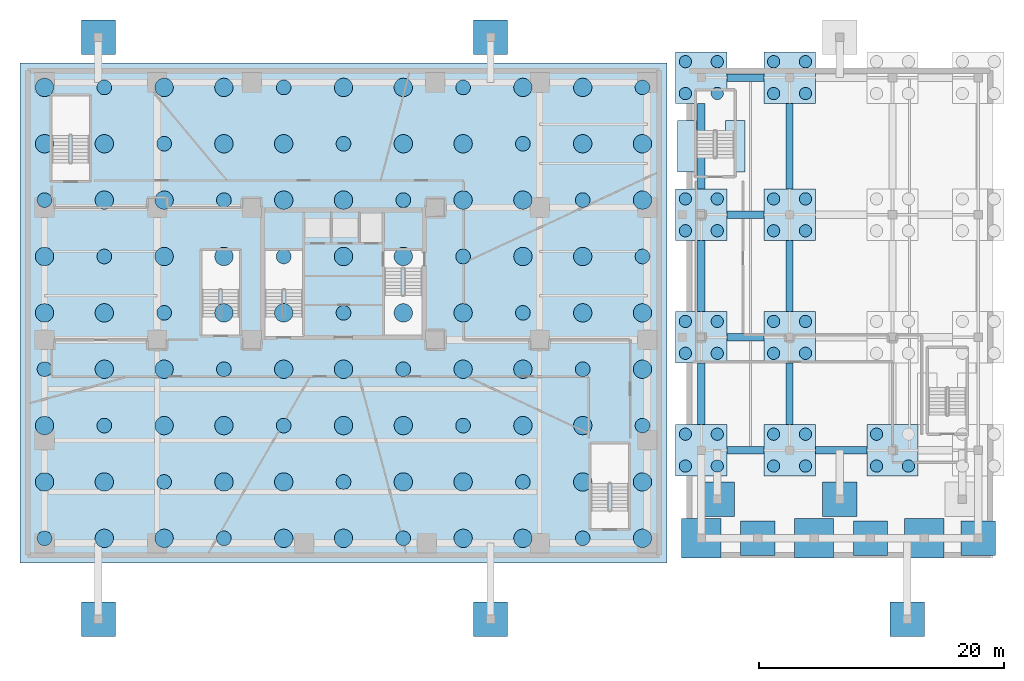
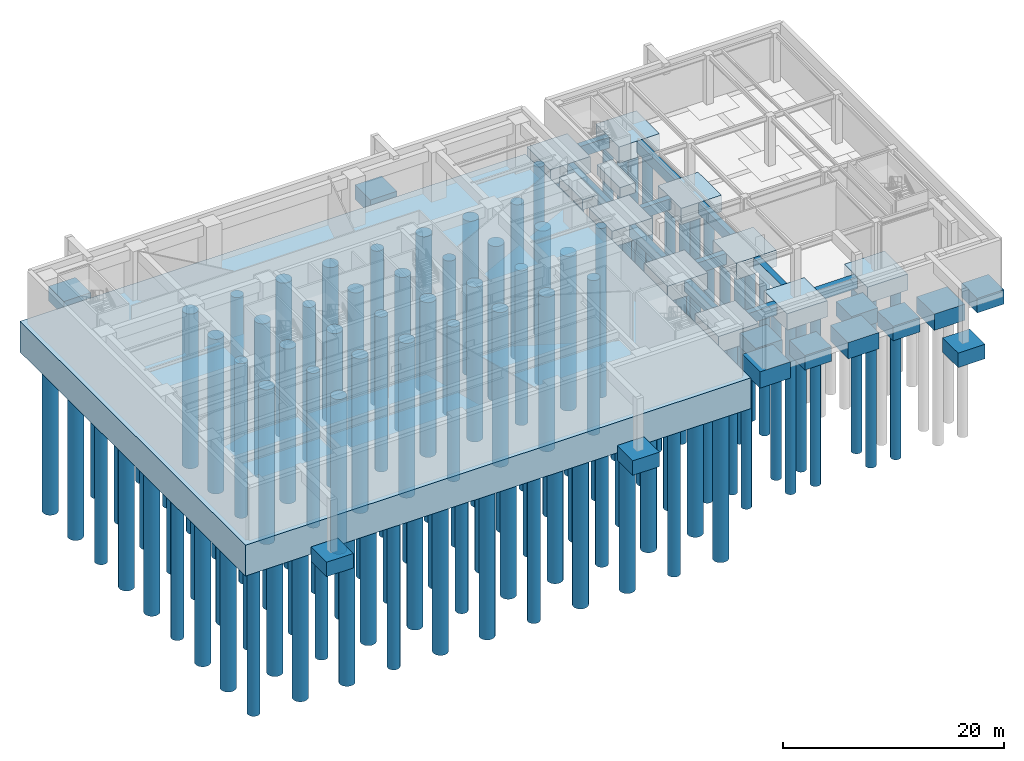
# One storey, part 1 of 15: 134 piles, 36 footings.
"""IFC4 building model written with IfcOpenShell, lengths in metres."""

import ifcopenshell
import ifcopenshell.guid

model = None  # the IFC model being written
_history = None  # IfcOwnerHistory: only IFC2X3 demands one
_inside = {}  # id of a spatial element -> (the spatial element, [elements in it])
_under = {}  # id of a project, library or spatial element -> (it, [spatial elements below it])
_declared = {}  # id of a project -> (the project, [libraries it declares])
_typed = {}  # id of a type object -> (the type object, [elements of that type])
_made_of = {}  # id of a material, layer set ... -> (it, [elements and type objects made of it])


def new_model(schema):
    """Start an empty IFC model of exactly this schema.

    Asked for "IFC4X3", IfcOpenShell would pick the latest addendum, in which some entities
    have other attributes; the version numbers below select the first issue.
    IFC2X3 requires an IfcOwnerHistory on every rooted entity: one is made here for all.
    """
    global model, _history
    if schema == "IFC4X3":
        model = ifcopenshell.file(schema_version=(4, 3, 0, 0))
    else:
        model = ifcopenshell.file(schema=schema)
    _inside.clear()
    _under.clear()
    _declared.clear()
    _typed.clear()
    _made_of.clear()
    _history = None
    if model.schema == "IFC2X3":
        org = make("IfcOrganization", Name="unknown")
        user = make(
            "IfcPersonAndOrganization",
            ThePerson=make("IfcPerson", FamilyName="unknown"),
            TheOrganization=org,
        )
        app = make(
            "IfcApplication",
            ApplicationDeveloper=org,
            Version="unknown",
            ApplicationFullName="unknown",
            ApplicationIdentifier="unknown",
        )
        _history = make(
            "IfcOwnerHistory",
            OwningUser=user,
            OwningApplication=app,
            ChangeAction="ADDED",
            CreationDate=0,
        )
    return model


def make(cls, **values):
    """One entity of the class cls with the attributes given. An attribute that is None is left unset."""
    return model.create_entity(
        cls, **{name: value for name, value in values.items() if value is not None}
    )


def rooted(cls, **values):
    """An entity with a GlobalId (a new one), such as an element, a storey or a relation."""
    return make(cls, GlobalId=ifcopenshell.guid.new(), OwnerHistory=_history, **values)


def si_unit(unit_type, name, prefix=None):
    """IfcSIUnit, for example si_unit("LENGTHUNIT", "METRE", prefix="MILLI")."""
    return make("IfcSIUnit", UnitType=unit_type, Prefix=prefix, Name=name)


def assignment(units):
    """IfcUnitAssignment: the units of a project."""
    return None if units is None else make("IfcUnitAssignment", Units=units)


def point(xyz):
    """IfcCartesianPoint."""
    return None if xyz is None else make("IfcCartesianPoint", Coordinates=xyz)


def direction(xyz):
    """IfcDirection."""
    return None if xyz is None else make("IfcDirection", DirectionRatios=xyz)


def frame(location, z_axis=None, x_axis=None):
    """IfcAxis2Placement3D, a coordinate frame: its origin and axes. An axis left out is left unset."""
    return make(
        "IfcAxis2Placement3D",
        Location=point(location),
        Axis=direction(z_axis),
        RefDirection=direction(x_axis),
    )


def frame_2d(location, x_axis=None):
    """IfcAxis2Placement2D, a coordinate frame in the plane: its origin and x axis."""
    return make(
        "IfcAxis2Placement2D", Location=point(location), RefDirection=direction(x_axis)
    )


def origin():
    """The frame at (0, 0, 0) with its axes left unset."""
    return frame((0.0, 0.0, 0.0))


def origin_2d():
    """The frame at (0, 0) in the plane with its x axis left unset."""
    return frame_2d((0.0, 0.0))


def place(relative_to, where):
    """IfcLocalPlacement: puts the frame where relative to a parent placement (None: the world)."""
    return make(
        "IfcLocalPlacement", PlacementRelTo=relative_to, RelativePlacement=where
    )


def context(
    kind, dimensions, precision=None, world=None, true_north=None, identifier=None
):
    """IfcGeometricRepresentationContext, for example the 3D "Model" context."""
    return make(
        "IfcGeometricRepresentationContext",
        ContextIdentifier=identifier,
        ContextType=kind,
        CoordinateSpaceDimension=dimensions,
        Precision=precision,
        WorldCoordinateSystem=world,
        TrueNorth=true_north,
    )


def subcontext(parent, identifier, kind, view, scale=None):
    """IfcGeometricRepresentationSubContext, for example "Body" below "Model"."""
    return make(
        "IfcGeometricRepresentationSubContext",
        ContextIdentifier=identifier,
        ContextType=kind,
        ParentContext=parent,
        TargetScale=scale,
        TargetView=view,
    )


def project(units=None, contexts=None):
    """IfcProject with its units and contexts."""
    return rooted(
        "IfcProject",
        Name="project",
        RepresentationContexts=contexts,
        UnitsInContext=assignment(units),
    )


def spatial(cls, under=None, at=None, **own):
    """A site, building, storey or space (cls), placed at a placement, below another one or the project."""
    s = rooted(cls, ObjectPlacement=at, **own)
    if under is not None:
        _under.setdefault(under.id(), (under, []))[1].append(s)
    return s


def profile(cls, at=None, kind="AREA", **sizes):
    """A parametric profile (cls). Its sizes go by their IFC names, for example OverallWidth=200.0."""
    return make(cls, ProfileType=kind, Position=at, **sizes)


def rectangle(**sizes):
    """IfcRectangleProfileDef."""
    return profile("IfcRectangleProfileDef", **sizes)


def circle(**sizes):
    """IfcCircleProfileDef."""
    return profile("IfcCircleProfileDef", **sizes)


def extrude(swept, where, along, depth):
    """IfcExtrudedAreaSolid: the profile swept, set in the frame where, extruded along a direction by depth."""
    return make(
        "IfcExtrudedAreaSolid",
        SweptArea=swept,
        Position=where,
        ExtrudedDirection=direction(along),
        Depth=depth,
    )


def shape(context_of_items, identifier, shape_type, items):
    """IfcShapeRepresentation: the items that make up one representation, for example the "Body"."""
    return make(
        "IfcShapeRepresentation",
        ContextOfItems=context_of_items,
        RepresentationIdentifier=identifier,
        RepresentationType=shape_type,
        Items=items,
    )


def source(mapping_origin, context_of_items, identifier, shape_type, items):
    """IfcRepresentationMap: a shape defined once, which mapped items show again and again."""
    return make(
        "IfcRepresentationMap",
        MappingOrigin=mapping_origin,
        MappedRepresentation=shape(context_of_items, identifier, shape_type, items),
    )


def transform(
    local_origin,
    x_axis=None,
    y_axis=None,
    z_axis=None,
    scale=None,
    scale2=None,
    scale3=None,
    uniform=True,
):
    """IfcCartesianTransformationOperator3D, or its non-uniform kind. x_axis, y_axis, z_axis: its Axis1, 2, 3."""
    if uniform:
        return make(
            "IfcCartesianTransformationOperator3D",
            Axis1=direction(x_axis),
            Axis2=direction(y_axis),
            LocalOrigin=point(local_origin),
            Scale=scale,
            Axis3=direction(z_axis),
        )
    return make(
        "IfcCartesianTransformationOperator3DnonUniform",
        Axis1=direction(x_axis),
        Axis2=direction(y_axis),
        LocalOrigin=point(local_origin),
        Scale=scale,
        Axis3=direction(z_axis),
        Scale2=scale2,
        Scale3=scale3,
    )


def mapped(mapping_source, mapping_target):
    """IfcMappedItem: shows the shape of a source again, moved by a transform."""
    return make(
        "IfcMappedItem", MappingSource=mapping_source, MappingTarget=mapping_target
    )


def material(Name=None, Category=None):
    """IfcMaterial."""
    return make("IfcMaterial", Name=Name, Category=Category)


def material_profile(
    of_material, cross_section, Name=None, Category=None, Priority=None
):
    """IfcMaterialProfile: a cross section and its material."""
    return make(
        "IfcMaterialProfile",
        Name=Name,
        Material=of_material,
        Profile=cross_section,
        Priority=Priority,
        Category=Category,
    )


def profile_set(profiles, Name=None, composite=None):
    """IfcMaterialProfileSet."""
    return make(
        "IfcMaterialProfileSet",
        Name=Name,
        MaterialProfiles=profiles,
        CompositeProfile=composite,
    )


def made_of(thing, what):
    """Note that an element or type object is made of a material, layer set ...; save() writes the relation."""
    if what is not None:
        _made_of.setdefault(what.id(), (what, []))[1].append(thing)
    return thing


def type_object(cls, material=None, **own):
    """A type object (cls), such as IfcWallType, which elements share."""
    return made_of(rooted(cls, **own), material)


def type_shapes(of_type, sources):
    """Give a type object the sources (RepresentationMaps) that its elements show as mapped items."""
    of_type.RepresentationMaps = sources


def element(
    cls,
    number,
    at=None,
    inside=None,
    cuts=None,
    type_object=None,
    material=None,
    context=None,
    identifier="Body",
    shape_type=None,
    held_by="IfcProductDefinitionShape",
    body=None,
    shapes=None,
    **own,
):
    """One element of the class cls, such as IfcWall. Its Tag is "e" and its number.

    at: its placement. inside: the storey or other place that contains it. cuts: it is an
    opening in that element (IfcRelVoidsElement). A single representation is given by context,
    identifier, shape_type and body (its items); several are given by shapes. held_by: the class
    of the entity that holds the representations. save() writes the other relations.
    """
    e = rooted(cls, Tag="e%d" % number, ObjectPlacement=at, **own)
    if body is not None:
        shapes = [shape(context, identifier, shape_type, body)]
    if shapes is not None:
        e.Representation = make(held_by, Representations=shapes)
    if inside is not None:
        _inside.setdefault(inside.id(), (inside, []))[1].append(e)
    if cuts is not None:
        rooted(
            "IfcRelVoidsElement", RelatingBuildingElement=cuts, RelatedOpeningElement=e
        )
    if type_object is not None:
        _typed.setdefault(type_object.id(), (type_object, []))[1].append(e)
    return made_of(e, material)


def aggregate(whole, parts):
    """IfcRelAggregates: a whole, such as a stair, and the parts it consists of."""
    return rooted("IfcRelAggregates", RelatingObject=whole, RelatedObjects=parts)


def save(model, path):
    """Write the relations noted so far, then the file.

    IfcRelAggregates (storeys below a building ...), IfcRelContainedInSpatialStructure (elements
    in a storey), IfcRelDefinesByType, IfcRelAssociatesMaterial and IfcRelDeclares: one each for
    every whole, place, type object, material and project.
    """
    for whole, parts in _under.values():
        aggregate(whole, parts)
    for where, things in _inside.values():
        rooted(
            "IfcRelContainedInSpatialStructure",
            RelatedElements=things,
            RelatingStructure=where,
        )
    for kind, things in _typed.values():
        rooted("IfcRelDefinesByType", RelatedObjects=things, RelatingType=kind)
    for what, things in _made_of.values():
        rooted("IfcRelAssociatesMaterial", RelatedObjects=things, RelatingMaterial=what)
    for by, libraries in _declared.values():
        rooted("IfcRelDeclares", RelatingContext=by, RelatedDefinitions=libraries)
    model.write(path)


model = new_model("IFC4")

# Units and contexts
model_context = context("Model", 3, precision=1e-05, world=origin(), true_north=direction((0.0, 1.0)))
body_context = subcontext(model_context, "Body", "Model", "MODEL_VIEW")
ifc_project = project(units=[si_unit("LENGTHUNIT", "METRE"), si_unit("AREAUNIT", "SQUARE_METRE"), si_unit("VOLUMEUNIT", "CUBIC_METRE"), si_unit("PLANEANGLEUNIT", "RADIAN"), si_unit("MASSUNIT", "GRAM", prefix="KILO")], contexts=[model_context])

# Site, building, storey
site_placement = place(None, origin())
site = spatial("IfcSite", under=ifc_project, at=site_placement, CompositionType="ELEMENT")
building_placement = place(site_placement, origin())
building = spatial("IfcBuilding", under=site, at=building_placement, Name="Talar Marvaseh", CompositionType="ELEMENT")
storey_placement = place(building_placement, frame((0.0, 0.0, -11.60009765625)))
storey = spatial("IfcBuildingStorey", under=building, at=storey_placement, Name="B02", CompositionType="ELEMENT", Elevation=-11.60009765625)

# Footing
ifc_material = material(Name="Concrete C50/60", Category="concrete")
footing_type_1 = type_object("IfcFootingType", Name="Piled Foundation Raft 3400", PredefinedType="PAD_FOOTING", material=ifc_material)
shared_shape_1 = source(origin(), body_context, "Body", "SweptSolid", [
    extrude(rectangle(XDim=52.800048828125, YDim=40.800048828125, at=origin_2d()), origin(), (0.0, 0.0, 1.0), 3.39990234375),
])
type_shapes(footing_type_1, [shared_shape_1])
footing_1_placement = place(storey_placement, frame((26.0, 28.0, -3.39990234375), z_axis=(0.0, 0.0, 1.0), x_axis=(1.0, 0.0, 0.0)))
element("IfcFooting", 1, at=footing_1_placement, inside=storey, type_object=footing_type_1, Name="B02 Tower and Station Piled Foundation Raft", PredefinedType="PAD_FOOTING", context=body_context, shape_type="MappedRepresentation", body=[
    mapped(shared_shape_1, transform((0.0, 0.0, 0.0), x_axis=(1.0, 0.0, 0.0), y_axis=(0.0, 1.0, 0.0), z_axis=(0.0, 0.0, 1.0), scale=1.0)),
])

# Piles
ifc_material_profile_1 = material_profile(ifc_material, circle(Radius=0.60009765625, at=origin_2d()), Name="PILE-D1200")
ifc_profile_set_1 = profile_set([ifc_material_profile_1], Name="Concrete C50/60")
pile_type_1 = type_object("IfcPileType", Name="Rotary Bored Rock-Socketed Pile D1200", PredefinedType="BORED", material=ifc_profile_set_1)
shared_shape_2 = source(origin(), body_context, "Body", "SweptSolid", [
    extrude(circle(Radius=0.60009765625, at=origin_2d()), origin(), (0.0, 0.0, 1.0), 17.10009765625),
])
type_shapes(pile_type_1, [shared_shape_2])
for number, where, z_axis, x_axis, name in (
    (2, (1.60009765625, 9.60009765625, -3.2998046875), (0.0, 0.0, -1.0), (1.0, 0.0, 0.0), "B02 Tower Raft Bored Pile 1-1"),
    (3, (1.60009765625, 23.39990234375, -3.2998046875), (0.0, 0.0, -1.0), (1.0, 0.0, 0.0), "B02 Tower Raft Bored Pile 1-4"),
    (4, (1.60009765625, 37.199951171875, -3.2998046875), (0.0, 0.0, -1.0), (1.0, 0.0, 0.0), "B02 Tower Raft Bored Pile 1-7"),
    (5, (6.47998046875, 18.800048828125, -3.2998046875), (0.0, 0.0, -1.0), (1.0, 0.0, 0.0), "B02 Tower Raft Bored Pile 2-3"),
    (6, (6.47998046875, 32.60009765625, -3.2998046875), (0.0, 0.0, -1.0), (1.0, 0.0, 0.0), "B02 Tower Raft Bored Pile 2-6"),
    (7, (6.47998046875, 46.39990234375, -3.2998046875), (0.0, 0.0, -1.0), (1.0, 0.0, 0.0), "B02 Tower Raft Bored Pile 2-9"),
    (8, (11.360107421875, 14.199951171875, -3.2998046875), (0.0, 0.0, -1.0), (1.0, 0.0, 0.0), "B02 Tower Raft Bored Pile 3-2"),
    (9, (11.360107421875, 28.0, -3.2998046875), (0.0, 0.0, -1.0), (1.0, 0.0, 0.0), "B02 Tower Raft Bored Pile 3-5"),
    (10, (11.360107421875, 41.800048828125, -3.2998046875), (0.0, 0.0, -1.0), (1.0, 0.0, 0.0), "B02 Tower Raft Bored Pile 3-8"),
    (11, (16.239990234375, 9.60009765625, -3.2998046875), (0.0, 0.0, -1.0), (1.0, 0.0, 0.0), "B02 Tower Raft Bored Pile 4-1"),
    (12, (16.239990234375, 23.39990234375, -3.2998046875), (0.0, 0.0, -1.0), (1.0, 0.0, 0.0), "B02 Tower Raft Bored Pile 4-4"),
    (13, (16.239990234375, 37.199951171875, -3.2998046875), (0.0, 0.0, -1.0), (1.0, 0.0, 0.0), "B02 Tower Raft Bored Pile 4-7"),
    (14, (21.1201171875, 18.800048828125, -3.2998046875), (0.0, 0.0, -1.0), (1.0, 0.0, 0.0), "B02 Tower Raft Bored Pile 5-3"),
    (15, (21.1201171875, 32.60009765625, -3.2998046875), (0.0, 0.0, -1.0), (1.0, 0.0, 0.0), "B02 Tower Raft Bored Pile 5-6"),
    (16, (21.1201171875, 46.39990234375, -3.2998046875), (0.0, 0.0, -1.0), (1.0, 0.0, 0.0), "B02 Tower Raft Bored Pile 5-9"),
    (17, (26.0, 14.199951171875, -3.2998046875), (0.0, 0.0, -1.0), (1.0, 0.0, 0.0), "B02 Tower Raft Bored Pile 6-2"),
    (18, (26.0, 28.0, -3.2998046875), (0.0, 0.0, -1.0), (1.0, 0.0, 0.0), "B02 Tower Raft Bored Pile 6-5"),
    (19, (26.0, 41.800048828125, -3.2998046875), (0.0, 0.0, -1.0), (1.0, 0.0, 0.0), "B02 Tower Raft Bored Pile 6-8"),
    (20, (30.8798828125, 9.60009765625, -3.2998046875), (0.0, 0.0, -1.0), (1.0, 0.0, 0.0), "B02 Tower Raft Bored Pile 7-1"),
    (21, (30.8798828125, 23.39990234375, -3.2998046875), (0.0, 0.0, -1.0), (1.0, 0.0, 0.0), "B02 Tower Raft Bored Pile 7-4"),
    (22, (30.8798828125, 37.199951171875, -3.2998046875), (0.0, 0.0, -1.0), (1.0, 0.0, 0.0), "B02 Tower Raft Bored Pile 7-7"),
    (23, (35.760009765625, 18.800048828125, -3.2998046875), (0.0, 0.0, -1.0), (1.0, 0.0, 0.0), "B02 Tower Raft Bored Pile 8-3"),
    (24, (35.760009765625, 32.60009765625, -3.2998046875), (0.0, 0.0, -1.0), (1.0, 0.0, 0.0), "B02 Tower Raft Bored Pile 8-6"),
    (25, (35.760009765625, 46.39990234375, -3.2998046875), (0.0, 0.0, -1.0), (1.0, 0.0, 0.0), "B02 Tower Raft Bored Pile 8-9"),
    (26, (40.639892578125, 14.199951171875, -3.2998046875), (0.0, 0.0, -1.0), (1.0, 0.0, 0.0), "B02 Tower Raft Bored Pile 9-2"),
    (27, (40.639892578125, 28.0, -3.2998046875), (0.0, 0.0, -1.0), (1.0, 0.0, 0.0), "B02 Tower Raft Bored Pile 9-5"),
    (28, (40.639892578125, 41.800048828125, -3.2998046875), (0.0, 0.0, -1.0), (1.0, 0.0, 0.0), "B02 Tower Raft Bored Pile 9-8"),
    (29, (45.52001953125, 9.60009765625, -3.2998046875), (0.0, 0.0, -1.0), (1.0, 0.0, 0.0), "B02 Tower Raft Bored Pile 10-1"),
    (30, (45.52001953125, 23.39990234375, -3.2998046875), (0.0, 0.0, -1.0), (1.0, 0.0, 0.0), "B02 Tower Raft Bored Pile 10-4"),
    (31, (45.52001953125, 37.199951171875, -3.2998046875), (0.0, 0.0, -1.0), (1.0, 0.0, 0.0), "B02 Tower Raft Bored Pile 10-7"),
    (32, (50.39990234375, 18.800048828125, -3.2998046875), (0.0, 0.0, -1.0), (1.0, 0.0, 0.0), "B02 Tower Raft Bored Pile 11-3"),
    (33, (50.39990234375, 32.60009765625, -3.2998046875), (0.0, 0.0, -1.0), (1.0, 0.0, 0.0), "B02 Tower Raft Bored Pile 11-6"),
    (34, (50.39990234375, 46.39990234375, -3.2998046875), (0.0, 0.0, -1.0), (1.0, 0.0, 0.0), "B02 Tower Raft Bored Pile 11-9"),
):
    element("IfcPile", number, at=place(storey_placement, frame(where, z_axis=z_axis, x_axis=x_axis)), inside=storey, type_object=pile_type_1, Name=name, PredefinedType="BORED", context=body_context, shape_type="MappedRepresentation", body=[
        mapped(shared_shape_2, transform((0.0, 0.0, 0.0), x_axis=(1.0, 0.0, 0.0), y_axis=(0.0, 1.0, 0.0), z_axis=(0.0, 0.0, 1.0), scale=1.0)),
    ])
ifc_material_profile_2 = material_profile(ifc_material, circle(Radius=0.75, at=origin_2d()), Name="PILE-D1500")
ifc_profile_set_2 = profile_set([ifc_material_profile_2], Name="Concrete C50/60")
pile_type_2 = type_object("IfcPileType", Name="Rotary Bored Rock-Socketed Pile D1500", PredefinedType="BORED", material=ifc_profile_set_2)
shared_shape_3 = source(origin(), body_context, "Body", "SweptSolid", [
    extrude(circle(Radius=0.75, at=origin_2d()), origin(), (0.0, 0.0, 1.0), 17.10009765625),
])
type_shapes(pile_type_2, [shared_shape_3])
for number, where, z_axis, x_axis, name in (
    (35, (1.60009765625, 14.199951171875, -3.2998046875), (0.0, 0.0, -1.0), (1.0, 0.0, 0.0), "B02 Tower Raft Bored Pile 1-2"),
    (36, (1.60009765625, 18.800048828125, -3.2998046875), (0.0, 0.0, -1.0), (1.0, 0.0, 0.0), "B02 Tower Raft Bored Pile 1-3"),
    (37, (1.60009765625, 28.0, -3.2998046875), (0.0, 0.0, -1.0), (1.0, 0.0, 0.0), "B02 Tower Raft Bored Pile 1-5"),
    (38, (1.60009765625, 32.60009765625, -3.2998046875), (0.0, 0.0, -1.0), (1.0, 0.0, 0.0), "B02 Tower Raft Bored Pile 1-6"),
    (39, (1.60009765625, 41.800048828125, -3.2998046875), (0.0, 0.0, -1.0), (1.0, 0.0, 0.0), "B02 Tower Raft Bored Pile 1-8"),
    (40, (1.60009765625, 46.39990234375, -3.2998046875), (0.0, 0.0, -1.0), (1.0, 0.0, 0.0), "B02 Tower Raft Bored Pile 1-9"),
    (41, (6.47998046875, 9.60009765625, -3.2998046875), (0.0, 0.0, -1.0), (1.0, 0.0, 0.0), "B02 Tower Raft Bored Pile 2-1"),
    (42, (6.47998046875, 14.199951171875, -3.2998046875), (0.0, 0.0, -1.0), (1.0, 0.0, 0.0), "B02 Tower Raft Bored Pile 2-2"),
    (43, (6.47998046875, 23.39990234375, -3.2998046875), (0.0, 0.0, -1.0), (1.0, 0.0, 0.0), "B02 Tower Raft Bored Pile 2-4"),
    (44, (6.47998046875, 28.0, -3.2998046875), (0.0, 0.0, -1.0), (1.0, 0.0, 0.0), "B02 Tower Raft Bored Pile 2-5"),
    (45, (6.47998046875, 37.199951171875, -3.2998046875), (0.0, 0.0, -1.0), (1.0, 0.0, 0.0), "B02 Tower Raft Bored Pile 2-7"),
    (46, (6.47998046875, 41.800048828125, -3.2998046875), (0.0, 0.0, -1.0), (1.0, 0.0, 0.0), "B02 Tower Raft Bored Pile 2-8"),
    (47, (11.360107421875, 9.60009765625, -3.2998046875), (0.0, 0.0, -1.0), (1.0, 0.0, 0.0), "B02 Tower Raft Bored Pile 3-1"),
    (48, (11.360107421875, 18.800048828125, -3.2998046875), (0.0, 0.0, -1.0), (1.0, 0.0, 0.0), "B02 Tower Raft Bored Pile 3-3"),
    (49, (11.360107421875, 23.39990234375, -3.2998046875), (0.0, 0.0, -1.0), (1.0, 0.0, 0.0), "B02 Tower Raft Bored Pile 3-4"),
    (50, (11.360107421875, 32.60009765625, -3.2998046875), (0.0, 0.0, -1.0), (1.0, 0.0, 0.0), "B02 Tower Raft Bored Pile 3-6"),
    (51, (11.360107421875, 37.199951171875, -3.2998046875), (0.0, 0.0, -1.0), (1.0, 0.0, 0.0), "B02 Tower Raft Bored Pile 3-7"),
    (52, (11.360107421875, 46.39990234375, -3.2998046875), (0.0, 0.0, -1.0), (1.0, 0.0, 0.0), "B02 Tower Raft Bored Pile 3-9"),
    (53, (16.239990234375, 14.199951171875, -3.2998046875), (0.0, 0.0, -1.0), (1.0, 0.0, 0.0), "B02 Tower Raft Bored Pile 4-2"),
    (54, (16.239990234375, 18.800048828125, -3.2998046875), (0.0, 0.0, -1.0), (1.0, 0.0, 0.0), "B02 Tower Raft Bored Pile 4-3"),
    (55, (16.239990234375, 28.0, -3.2998046875), (0.0, 0.0, -1.0), (1.0, 0.0, 0.0), "B02 Tower Raft Bored Pile 4-5"),
    (56, (16.239990234375, 32.60009765625, -3.2998046875), (0.0, 0.0, -1.0), (1.0, 0.0, 0.0), "B02 Tower Raft Bored Pile 4-6"),
    (57, (16.239990234375, 41.800048828125, -3.2998046875), (0.0, 0.0, -1.0), (1.0, 0.0, 0.0), "B02 Tower Raft Bored Pile 4-8"),
    (58, (16.239990234375, 46.39990234375, -3.2998046875), (0.0, 0.0, -1.0), (1.0, 0.0, 0.0), "B02 Tower Raft Bored Pile 4-9"),
    (59, (21.1201171875, 9.60009765625, -3.2998046875), (0.0, 0.0, -1.0), (1.0, 0.0, 0.0), "B02 Tower Raft Bored Pile 5-1"),
    (60, (21.1201171875, 14.199951171875, -3.2998046875), (0.0, 0.0, -1.0), (1.0, 0.0, 0.0), "B02 Tower Raft Bored Pile 5-2"),
    (61, (21.1201171875, 23.39990234375, -3.2998046875), (0.0, 0.0, -1.0), (1.0, 0.0, 0.0), "B02 Tower Raft Bored Pile 5-4"),
    (62, (21.1201171875, 28.0, -3.2998046875), (0.0, 0.0, -1.0), (1.0, 0.0, 0.0), "B02 Tower Raft Bored Pile 5-5"),
    (63, (21.1201171875, 37.199951171875, -3.2998046875), (0.0, 0.0, -1.0), (1.0, 0.0, 0.0), "B02 Tower Raft Bored Pile 5-7"),
    (64, (21.1201171875, 41.800048828125, -3.2998046875), (0.0, 0.0, -1.0), (1.0, 0.0, 0.0), "B02 Tower Raft Bored Pile 5-8"),
    (65, (26.0, 9.60009765625, -3.2998046875), (0.0, 0.0, -1.0), (1.0, 0.0, 0.0), "B02 Tower Raft Bored Pile 6-1"),
    (66, (26.0, 18.800048828125, -3.2998046875), (0.0, 0.0, -1.0), (1.0, 0.0, 0.0), "B02 Tower Raft Bored Pile 6-3"),
    (67, (26.0, 23.39990234375, -3.2998046875), (0.0, 0.0, -1.0), (1.0, 0.0, 0.0), "B02 Tower Raft Bored Pile 6-4"),
    (68, (26.0, 32.60009765625, -3.2998046875), (0.0, 0.0, -1.0), (1.0, 0.0, 0.0), "B02 Tower Raft Bored Pile 6-6"),
    (69, (26.0, 37.199951171875, -3.2998046875), (0.0, 0.0, -1.0), (1.0, 0.0, 0.0), "B02 Tower Raft Bored Pile 6-7"),
    (70, (26.0, 46.39990234375, -3.2998046875), (0.0, 0.0, -1.0), (1.0, 0.0, 0.0), "B02 Tower Raft Bored Pile 6-9"),
    (71, (30.8798828125, 14.199951171875, -3.2998046875), (0.0, 0.0, -1.0), (1.0, 0.0, 0.0), "B02 Tower Raft Bored Pile 7-2"),
    (72, (30.8798828125, 18.800048828125, -3.2998046875), (0.0, 0.0, -1.0), (1.0, 0.0, 0.0), "B02 Tower Raft Bored Pile 7-3"),
    (73, (30.8798828125, 28.0, -3.2998046875), (0.0, 0.0, -1.0), (1.0, 0.0, 0.0), "B02 Tower Raft Bored Pile 7-5"),
    (74, (30.8798828125, 32.60009765625, -3.2998046875), (0.0, 0.0, -1.0), (1.0, 0.0, 0.0), "B02 Tower Raft Bored Pile 7-6"),
    (75, (30.8798828125, 41.800048828125, -3.2998046875), (0.0, 0.0, -1.0), (1.0, 0.0, 0.0), "B02 Tower Raft Bored Pile 7-8"),
    (76, (30.8798828125, 46.39990234375, -3.2998046875), (0.0, 0.0, -1.0), (1.0, 0.0, 0.0), "B02 Tower Raft Bored Pile 7-9"),
    (77, (35.760009765625, 9.60009765625, -3.2998046875), (0.0, 0.0, -1.0), (1.0, 0.0, 0.0), "B02 Tower Raft Bored Pile 8-1"),
    (78, (35.760009765625, 14.199951171875, -3.2998046875), (0.0, 0.0, -1.0), (1.0, 0.0, 0.0), "B02 Tower Raft Bored Pile 8-2"),
    (79, (35.760009765625, 23.39990234375, -3.2998046875), (0.0, 0.0, -1.0), (1.0, 0.0, 0.0), "B02 Tower Raft Bored Pile 8-4"),
    (80, (35.760009765625, 28.0, -3.2998046875), (0.0, 0.0, -1.0), (1.0, 0.0, 0.0), "B02 Tower Raft Bored Pile 8-5"),
    (81, (35.760009765625, 37.199951171875, -3.2998046875), (0.0, 0.0, -1.0), (1.0, 0.0, 0.0), "B02 Tower Raft Bored Pile 8-7"),
    (82, (35.760009765625, 41.800048828125, -3.2998046875), (0.0, 0.0, -1.0), (1.0, 0.0, 0.0), "B02 Tower Raft Bored Pile 8-8"),
    (83, (40.639892578125, 9.60009765625, -3.2998046875), (0.0, 0.0, -1.0), (1.0, 0.0, 0.0), "B02 Tower Raft Bored Pile 9-1"),
    (84, (40.639892578125, 18.800048828125, -3.2998046875), (0.0, 0.0, -1.0), (1.0, 0.0, 0.0), "B02 Tower Raft Bored Pile 9-3"),
    (85, (40.639892578125, 23.39990234375, -3.2998046875), (0.0, 0.0, -1.0), (1.0, 0.0, 0.0), "B02 Tower Raft Bored Pile 9-4"),
    (86, (40.639892578125, 32.60009765625, -3.2998046875), (0.0, 0.0, -1.0), (1.0, 0.0, 0.0), "B02 Tower Raft Bored Pile 9-6"),
    (87, (40.639892578125, 37.199951171875, -3.2998046875), (0.0, 0.0, -1.0), (1.0, 0.0, 0.0), "B02 Tower Raft Bored Pile 9-7"),
    (88, (40.639892578125, 46.39990234375, -3.2998046875), (0.0, 0.0, -1.0), (1.0, 0.0, 0.0), "B02 Tower Raft Bored Pile 9-9"),
    (89, (45.52001953125, 14.199951171875, -3.2998046875), (0.0, 0.0, -1.0), (1.0, 0.0, 0.0), "B02 Tower Raft Bored Pile 10-2"),
    (90, (45.52001953125, 18.800048828125, -3.2998046875), (0.0, 0.0, -1.0), (1.0, 0.0, 0.0), "B02 Tower Raft Bored Pile 10-3"),
    (91, (45.52001953125, 28.0, -3.2998046875), (0.0, 0.0, -1.0), (1.0, 0.0, 0.0), "B02 Tower Raft Bored Pile 10-5"),
    (92, (45.52001953125, 32.60009765625, -3.2998046875), (0.0, 0.0, -1.0), (1.0, 0.0, 0.0), "B02 Tower Raft Bored Pile 10-6"),
    (93, (45.52001953125, 41.800048828125, -3.2998046875), (0.0, 0.0, -1.0), (1.0, 0.0, 0.0), "B02 Tower Raft Bored Pile 10-8"),
    (94, (45.52001953125, 46.39990234375, -3.2998046875), (0.0, 0.0, -1.0), (1.0, 0.0, 0.0), "B02 Tower Raft Bored Pile 10-9"),
    (95, (50.39990234375, 9.60009765625, -3.2998046875), (0.0, 0.0, -1.0), (1.0, 0.0, 0.0), "B02 Tower Raft Bored Pile 11-1"),
    (96, (50.39990234375, 14.199951171875, -3.2998046875), (0.0, 0.0, -1.0), (1.0, 0.0, 0.0), "B02 Tower Raft Bored Pile 11-2"),
    (97, (50.39990234375, 23.39990234375, -3.2998046875), (0.0, 0.0, -1.0), (1.0, 0.0, 0.0), "B02 Tower Raft Bored Pile 11-4"),
    (98, (50.39990234375, 28.0, -3.2998046875), (0.0, 0.0, -1.0), (1.0, 0.0, 0.0), "B02 Tower Raft Bored Pile 11-5"),
    (99, (50.39990234375, 37.199951171875, -3.2998046875), (0.0, 0.0, -1.0), (1.0, 0.0, 0.0), "B02 Tower Raft Bored Pile 11-7"),
    (100, (50.39990234375, 41.800048828125, -3.2998046875), (0.0, 0.0, -1.0), (1.0, 0.0, 0.0), "B02 Tower Raft Bored Pile 11-8"),
):
    element("IfcPile", number, at=place(storey_placement, frame(where, z_axis=z_axis, x_axis=x_axis)), inside=storey, type_object=pile_type_2, Name=name, PredefinedType="BORED", context=body_context, shape_type="MappedRepresentation", body=[
        mapped(shared_shape_3, transform((0.0, 0.0, 0.0), x_axis=(1.0, 0.0, 0.0), y_axis=(0.0, 1.0, 0.0), z_axis=(0.0, 0.0, 1.0), scale=1.0)),
    ])

# Footings
footing_type_2 = type_object("IfcFootingType", Name="Market Hall Four-Pile Cap 1800", PredefinedType="PILE_CAP", material=ifc_material)
shared_shape_4 = source(origin(), body_context, "Body", "SweptSolid", [
    extrude(rectangle(XDim=4.199951171875, YDim=4.199951171875, at=origin_2d()), origin(), (0.0, 0.0, 1.0), 1.800048828125),
])
type_shapes(footing_type_2, [shared_shape_4])
for number, where, z_axis, x_axis, name in (
    (101, (55.199951171875, 16.800048828125, -1.7998046875), (0.0, 0.0, 1.0), (1.0, 0.0, 0.0), "B02 Market Hall Pile Cap 1-1"),
    (102, (55.199951171875, 26.0, -1.7998046875), (0.0, 0.0, 1.0), (1.0, 0.0, 0.0), "B02 Market Hall Pile Cap 1-2"),
    (103, (55.199951171875, 36.0, -1.7998046875), (0.0, 0.0, 1.0), (1.0, 0.0, 0.0), "B02 Market Hall Pile Cap 1-3"),
    (104, (55.199951171875, 47.199951171875, -1.7998046875), (0.0, 0.0, 1.0), (1.0, 0.0, 0.0), "B02 Market Hall Pile Cap 1-4"),
    (105, (62.39990234375, 16.800048828125, -1.7998046875), (0.0, 0.0, 1.0), (1.0, 0.0, 0.0), "B02 Market Hall Pile Cap 2-1"),
    (106, (62.39990234375, 26.0, -1.7998046875), (0.0, 0.0, 1.0), (1.0, 0.0, 0.0), "B02 Market Hall Pile Cap 2-2"),
    (107, (62.39990234375, 36.0, -1.7998046875), (0.0, 0.0, 1.0), (1.0, 0.0, 0.0), "B02 Market Hall Pile Cap 2-3"),
    (108, (62.39990234375, 47.199951171875, -1.7998046875), (0.0, 0.0, 1.0), (1.0, 0.0, 0.0), "B02 Market Hall Pile Cap 2-4"),
    (109, (70.800048828125, 16.800048828125, -1.7998046875), (0.0, 0.0, 1.0), (1.0, 0.0, 0.0), "B02 Market Hall Pile Cap 3-1"),
):
    element("IfcFooting", number, at=place(storey_placement, frame(where, z_axis=z_axis, x_axis=x_axis)), inside=storey, type_object=footing_type_2, Name=name, PredefinedType="PILE_CAP", context=body_context, shape_type="MappedRepresentation", body=[
        mapped(shared_shape_4, transform((0.0, 0.0, 0.0), x_axis=(1.0, 0.0, 0.0), y_axis=(0.0, 1.0, 0.0), z_axis=(0.0, 0.0, 1.0), scale=1.0)),
    ])

# Piles
ifc_material_profile_3 = material_profile(ifc_material, circle(Radius=0.5, at=origin_2d()), Name="PILE-D1000")
ifc_profile_set_3 = profile_set([ifc_material_profile_3], Name="Concrete C50/60")
pile_type_3 = type_object("IfcPileType", Name="Rotary Bored Rock-Socketed Pile D1000", PredefinedType="BORED", material=ifc_profile_set_3)
shared_shape_5 = source(origin(), body_context, "Body", "SweptSolid", [
    extrude(circle(Radius=0.5, at=origin_2d()), origin(), (0.0, 0.0, 1.0), 18.699951171875),
])
type_shapes(pile_type_3, [shared_shape_5])
for number, where, z_axis, x_axis, name in (
    (110, (53.89990234375, 15.5, -1.699951171875), (0.0, 0.0, -1.0), (1.0, 0.0, 0.0), "B02 Market Pile 1-1"),
    (111, (53.89990234375, 18.10009765625, -1.699951171875), (0.0, 0.0, -1.0), (1.0, 0.0, 0.0), "B02 Market Pile 1-1"),
    (112, (56.5, 15.5, -1.699951171875), (0.0, 0.0, -1.0), (1.0, 0.0, 0.0), "B02 Market Pile 1-1"),
    (113, (56.5, 18.10009765625, -1.699951171875), (0.0, 0.0, -1.0), (1.0, 0.0, 0.0), "B02 Market Pile 1-1"),
    (114, (53.89990234375, 24.699951171875, -1.699951171875), (0.0, 0.0, -1.0), (1.0, 0.0, 0.0), "B02 Market Pile 1-2"),
    (115, (53.89990234375, 27.300048828125, -1.699951171875), (0.0, 0.0, -1.0), (1.0, 0.0, 0.0), "B02 Market Pile 1-2"),
    (116, (56.5, 24.699951171875, -1.699951171875), (0.0, 0.0, -1.0), (1.0, 0.0, 0.0), "B02 Market Pile 1-2"),
    (117, (56.5, 27.300048828125, -1.699951171875), (0.0, 0.0, -1.0), (1.0, 0.0, 0.0), "B02 Market Pile 1-2"),
    (118, (53.89990234375, 34.699951171875, -1.699951171875), (0.0, 0.0, -1.0), (1.0, 0.0, 0.0), "B02 Market Pile 1-3"),
    (119, (53.89990234375, 37.300048828125, -1.699951171875), (0.0, 0.0, -1.0), (1.0, 0.0, 0.0), "B02 Market Pile 1-3"),
    (120, (56.5, 34.699951171875, -1.699951171875), (0.0, 0.0, -1.0), (1.0, 0.0, 0.0), "B02 Market Pile 1-3"),
    (121, (56.5, 37.300048828125, -1.699951171875), (0.0, 0.0, -1.0), (1.0, 0.0, 0.0), "B02 Market Pile 1-3"),
    (122, (53.89990234375, 45.89990234375, -1.699951171875), (0.0, 0.0, -1.0), (1.0, 0.0, 0.0), "B02 Market Pile 1-4"),
    (123, (53.89990234375, 48.5, -1.699951171875), (0.0, 0.0, -1.0), (1.0, 0.0, 0.0), "B02 Market Pile 1-4"),
    (124, (56.5, 45.89990234375, -1.699951171875), (0.0, 0.0, -1.0), (1.0, 0.0, 0.0), "B02 Market Pile 1-4"),
    (125, (56.5, 48.5, -1.699951171875), (0.0, 0.0, -1.0), (1.0, 0.0, 0.0), "B02 Market Pile 1-4"),
    (126, (61.10009765625, 15.5, -1.699951171875), (0.0, 0.0, -1.0), (1.0, 0.0, 0.0), "B02 Market Pile 2-1"),
    (127, (61.10009765625, 18.10009765625, -1.699951171875), (0.0, 0.0, -1.0), (1.0, 0.0, 0.0), "B02 Market Pile 2-1"),
    (128, (63.699951171875, 15.5, -1.699951171875), (0.0, 0.0, -1.0), (1.0, 0.0, 0.0), "B02 Market Pile 2-1"),
    (129, (63.699951171875, 18.10009765625, -1.699951171875), (0.0, 0.0, -1.0), (1.0, 0.0, 0.0), "B02 Market Pile 2-1"),
    (130, (61.10009765625, 24.699951171875, -1.699951171875), (0.0, 0.0, -1.0), (1.0, 0.0, 0.0), "B02 Market Pile 2-2"),
    (131, (61.10009765625, 27.300048828125, -1.699951171875), (0.0, 0.0, -1.0), (1.0, 0.0, 0.0), "B02 Market Pile 2-2"),
    (132, (63.699951171875, 24.699951171875, -1.699951171875), (0.0, 0.0, -1.0), (1.0, 0.0, 0.0), "B02 Market Pile 2-2"),
    (133, (63.699951171875, 27.300048828125, -1.699951171875), (0.0, 0.0, -1.0), (1.0, 0.0, 0.0), "B02 Market Pile 2-2"),
    (134, (61.10009765625, 34.699951171875, -1.699951171875), (0.0, 0.0, -1.0), (1.0, 0.0, 0.0), "B02 Market Pile 2-3"),
    (135, (61.10009765625, 37.300048828125, -1.699951171875), (0.0, 0.0, -1.0), (1.0, 0.0, 0.0), "B02 Market Pile 2-3"),
    (136, (63.699951171875, 34.699951171875, -1.699951171875), (0.0, 0.0, -1.0), (1.0, 0.0, 0.0), "B02 Market Pile 2-3"),
    (137, (63.699951171875, 37.300048828125, -1.699951171875), (0.0, 0.0, -1.0), (1.0, 0.0, 0.0), "B02 Market Pile 2-3"),
    (138, (61.10009765625, 45.89990234375, -1.699951171875), (0.0, 0.0, -1.0), (1.0, 0.0, 0.0), "B02 Market Pile 2-4"),
    (139, (61.10009765625, 48.5, -1.699951171875), (0.0, 0.0, -1.0), (1.0, 0.0, 0.0), "B02 Market Pile 2-4"),
    (140, (63.699951171875, 45.89990234375, -1.699951171875), (0.0, 0.0, -1.0), (1.0, 0.0, 0.0), "B02 Market Pile 2-4"),
    (141, (63.699951171875, 48.5, -1.699951171875), (0.0, 0.0, -1.0), (1.0, 0.0, 0.0), "B02 Market Pile 2-4"),
    (142, (69.5, 15.5, -1.699951171875), (0.0, 0.0, -1.0), (1.0, 0.0, 0.0), "B02 Market Pile 3-1"),
    (143, (69.5, 18.10009765625, -1.699951171875), (0.0, 0.0, -1.0), (1.0, 0.0, 0.0), "B02 Market Pile 3-1"),
    (144, (72.10009765625, 15.5, -1.699951171875), (0.0, 0.0, -1.0), (1.0, 0.0, 0.0), "B02 Market Pile 3-1"),
):
    element("IfcPile", number, at=place(storey_placement, frame(where, z_axis=z_axis, x_axis=x_axis)), inside=storey, type_object=pile_type_3, Name=name, PredefinedType="BORED", context=body_context, shape_type="MappedRepresentation", body=[
        mapped(shared_shape_5, transform((0.0, 0.0, 0.0), x_axis=(1.0, 0.0, 0.0), y_axis=(0.0, 1.0, 0.0), z_axis=(0.0, 0.0, 1.0), scale=1.0)),
    ])

# Footings
footing_type_3 = type_object("IfcFootingType", Name="Substructure Edge Pad Footing 1600", PredefinedType="PAD_FOOTING", material=ifc_material)
shared_shape_6 = source(origin(), body_context, "Body", "SweptSolid", [
    extrude(rectangle(XDim=2.800048828125, YDim=2.800048828125, at=origin_2d()), origin(), (0.0, 0.0, 1.0), 1.60009765625),
])
type_shapes(footing_type_3, [shared_shape_6])
for number, where, z_axis, x_axis, name in (
    (145, (6.0, 3.0, -1.599853515625), (0.0, 0.0, 1.0), (1.0, 0.0, 0.0), "B02 Plaza Perimeter Pad Footing 1"),
    (146, (38.0, 3.0, -1.599853515625), (0.0, 0.0, 1.0), (1.0, 0.0, 0.0), "B02 Plaza Perimeter Pad Footing 2"),
    (147, (72.0, 3.0, -1.599853515625), (0.0, 0.0, 1.0), (1.0, 0.0, 0.0), "B02 Plaza Perimeter Pad Footing 3"),
    (148, (6.0, 50.5, -1.599853515625), (0.0, 0.0, 1.0), (1.0, 0.0, 0.0), "B02 Plaza Perimeter Pad Footing 4"),
    (149, (38.0, 50.5, -1.599853515625), (0.0, 0.0, 1.0), (1.0, 0.0, 0.0), "B02 Plaza Perimeter Pad Footing 5"),
    (150, (56.5, 12.800048828125, -1.599853515625), (0.0, 0.0, 1.0), (1.0, 0.0, 0.0), "B02 Plaza Perimeter Pad Footing 7"),
    (151, (66.5, 12.800048828125, -1.599853515625), (0.0, 0.0, 1.0), (1.0, 0.0, 0.0), "B02 Plaza Perimeter Pad Footing 8"),
    (152, (59.800048828125, 9.60009765625, -1.599853515625), (0.0, 0.0, 1.0), (1.0, 0.0, 0.0), "B02 East Concourse Pad Footing 2"),
    (153, (69.0, 9.60009765625, -1.599853515625), (0.0, 0.0, 1.0), (1.0, 0.0, 0.0), "B02 East Concourse Pad Footing 4"),
    (154, (77.800048828125, 9.60009765625, -1.599853515625), (0.0, 0.0, 1.0), (1.0, 0.0, 0.0), "B02 East Concourse Pad Footing 6"),
):
    element("IfcFooting", number, at=place(storey_placement, frame(where, z_axis=z_axis, x_axis=x_axis)), inside=storey, type_object=footing_type_3, Name=name, PredefinedType="PAD_FOOTING", context=body_context, shape_type="MappedRepresentation", body=[
        mapped(shared_shape_6, transform((0.0, 0.0, 0.0), x_axis=(1.0, 0.0, 0.0), y_axis=(0.0, 1.0, 0.0), z_axis=(0.0, 0.0, 1.0), scale=1.0)),
    ])
footing_type_4 = type_object("IfcFootingType", Name="Substructure Pad Footing 1800", PredefinedType="PAD_FOOTING", material=ifc_material)
shared_shape_7 = source(origin(), body_context, "Body", "SweptSolid", [
    extrude(rectangle(XDim=3.199951171875, YDim=3.199951171875, at=origin_2d()), origin(), (0.0, 0.0, 1.0), 1.800048828125),
])
type_shapes(footing_type_4, [shared_shape_7])
for number, where, z_axis, x_axis, name in (
    (155, (55.199951171875, 9.60009765625, -1.7998046875), (0.0, 0.0, 1.0), (1.0, 0.0, 0.0), "B02 East Concourse Pad Footing 1"),
    (156, (64.39990234375, 9.60009765625, -1.7998046875), (0.0, 0.0, 1.0), (1.0, 0.0, 0.0), "B02 East Concourse Pad Footing 3"),
    (157, (73.39990234375, 9.60009765625, -1.7998046875), (0.0, 0.0, 1.0), (1.0, 0.0, 0.0), "B02 East Concourse Pad Footing 5"),
):
    element("IfcFooting", number, at=place(storey_placement, frame(where, z_axis=z_axis, x_axis=x_axis)), inside=storey, type_object=footing_type_4, Name=name, PredefinedType="PAD_FOOTING", context=body_context, shape_type="MappedRepresentation", body=[
        mapped(shared_shape_7, transform((0.0, 0.0, 0.0), x_axis=(1.0, 0.0, 0.0), y_axis=(0.0, 1.0, 0.0), z_axis=(0.0, 0.0, 1.0), scale=1.0)),
    ])
ifc_material_profile_4 = material_profile(ifc_material, rectangle(XDim=0.60009765625, YDim=1.199951171875, at=origin_2d()), Name="RC600x1200")
ifc_profile_set_4 = profile_set([ifc_material_profile_4], Name="Concrete C50/60")
footing_type_5 = type_object("IfcFootingType", Name="Reinforced Concrete Ground Tie Beam 600x1200", PredefinedType="FOOTING_BEAM", material=ifc_profile_set_4)
shared_shape_8 = source(origin(), body_context, "Body", "SweptSolid", [
    extrude(rectangle(XDim=0.60009765625, YDim=1.199951171875, at=origin_2d()), origin(), (0.0, 0.0, 1.0), 3.0),
])
for number, where, z_axis, x_axis, name in (
    (158, (57.300048828125, 16.800048828125, -0.599853515625), (1.0, 0.0, 0.0), (0.0, 1.0, 0.0), "B02 Market Ground Tie Beam X"),
    (159, (57.300048828125, 26.0, -0.599853515625), (1.0, 0.0, 0.0), (0.0, 1.0, 0.0), "B02 Market Ground Tie Beam X"),
    (160, (57.300048828125, 36.0, -0.599853515625), (1.0, 0.0, 0.0), (0.0, 1.0, 0.0), "B02 Market Ground Tie Beam X"),
    (161, (57.300048828125, 47.199951171875, -0.599853515625), (1.0, 0.0, 0.0), (0.0, 1.0, 0.0), "B02 Market Ground Tie Beam X"),
):
    element("IfcFooting", number, at=place(storey_placement, frame(where, z_axis=z_axis, x_axis=x_axis)), inside=storey, type_object=footing_type_5, Name=name, PredefinedType="FOOTING_BEAM", context=body_context, shape_type="MappedRepresentation", body=[
        mapped(shared_shape_8, transform((0.0, 0.0, 0.0), x_axis=(1.0, 0.0, 0.0), y_axis=(0.0, 1.0, 0.0), z_axis=(0.0, 0.0, 1.0), scale=1.0)),
    ])
shared_shape_9 = source(origin(), body_context, "Body", "SweptSolid", [
    extrude(rectangle(XDim=0.60009765625, YDim=1.199951171875, at=origin_2d()), origin(), (0.0, 0.0, 1.0), 4.199951171875),
])
footing_2_placement = place(storey_placement, frame((64.5, 16.800048828125, -0.599853515625), z_axis=(1.0, 0.0, 0.0), x_axis=(0.0, 1.0, 0.0)))
element("IfcFooting", 162, at=footing_2_placement, inside=storey, type_object=footing_type_5, Name="B02 Market Ground Tie Beam X", PredefinedType="FOOTING_BEAM", context=body_context, shape_type="MappedRepresentation", body=[
    mapped(shared_shape_9, transform((0.0, 0.0, 0.0), x_axis=(1.0, 0.0, 0.0), y_axis=(0.0, 1.0, 0.0), z_axis=(0.0, 0.0, 1.0), scale=1.0)),
])
shared_shape_10 = source(origin(), body_context, "Body", "SweptSolid", [
    extrude(rectangle(XDim=0.60009765625, YDim=1.199951171875, at=origin_2d()), origin(), (0.0, 0.0, 1.0), 5.0),
])
for number, where, z_axis, x_axis, name in (
    (163, (55.199951171875, 18.89990234375, -0.599853515625), (0.0, 1.0, 0.0), (-1.0, 0.0, 0.0), "B02 Market Ground Tie Beam Y"),
    (164, (62.39990234375, 18.89990234375, -0.599853515625), (0.0, 1.0, 0.0), (-1.0, 0.0, 0.0), "B02 Market Ground Tie Beam Y"),
):
    element("IfcFooting", number, at=place(storey_placement, frame(where, z_axis=z_axis, x_axis=x_axis)), inside=storey, type_object=footing_type_5, Name=name, PredefinedType="FOOTING_BEAM", context=body_context, shape_type="MappedRepresentation", body=[
        mapped(shared_shape_10, transform((0.0, 0.0, 0.0), x_axis=(1.0, 0.0, 0.0), y_axis=(0.0, 1.0, 0.0), z_axis=(0.0, 0.0, 1.0), scale=1.0)),
    ])
shared_shape_11 = source(origin(), body_context, "Body", "SweptSolid", [
    extrude(rectangle(XDim=0.60009765625, YDim=1.199951171875, at=origin_2d()), origin(), (0.0, 0.0, 1.0), 5.7998046875),
])
for number, where, z_axis, x_axis, name in (
    (165, (55.199951171875, 28.10009765625, -0.599853515625), (0.0, 1.0, 0.0), (-1.0, 0.0, 0.0), "B02 Market Ground Tie Beam Y"),
    (166, (62.39990234375, 28.10009765625, -0.599853515625), (0.0, 1.0, 0.0), (-1.0, 0.0, 0.0), "B02 Market Ground Tie Beam Y"),
):
    element("IfcFooting", number, at=place(storey_placement, frame(where, z_axis=z_axis, x_axis=x_axis)), inside=storey, type_object=footing_type_5, Name=name, PredefinedType="FOOTING_BEAM", context=body_context, shape_type="MappedRepresentation", body=[
        mapped(shared_shape_11, transform((0.0, 0.0, 0.0), x_axis=(1.0, 0.0, 0.0), y_axis=(0.0, 1.0, 0.0), z_axis=(0.0, 0.0, 1.0), scale=1.0)),
    ])
shared_shape_12 = source(origin(), body_context, "Body", "SweptSolid", [
    extrude(rectangle(XDim=0.60009765625, YDim=1.199951171875, at=origin_2d()), origin(), (0.0, 0.0, 1.0), 7.0),
])
type_shapes(footing_type_5, [shared_shape_8, shared_shape_9, shared_shape_10, shared_shape_11, shared_shape_12])
for number, where, z_axis, x_axis, name in (
    (167, (55.199951171875, 38.10009765625, -0.599853515625), (0.0, 1.0, 0.0), (-1.0, 0.0, 0.0), "B02 Market Ground Tie Beam Y"),
    (168, (62.39990234375, 38.10009765625, -0.599853515625), (0.0, 1.0, 0.0), (-1.0, 0.0, 0.0), "B02 Market Ground Tie Beam Y"),
):
    element("IfcFooting", number, at=place(storey_placement, frame(where, z_axis=z_axis, x_axis=x_axis)), inside=storey, type_object=footing_type_5, Name=name, PredefinedType="FOOTING_BEAM", context=body_context, shape_type="MappedRepresentation", body=[
        mapped(shared_shape_12, transform((0.0, 0.0, 0.0), x_axis=(1.0, 0.0, 0.0), y_axis=(0.0, 1.0, 0.0), z_axis=(0.0, 0.0, 1.0), scale=1.0)),
    ])
footing_type_6 = type_object("IfcFootingType", Name="Stair Core Shear Wall Strip Footing 1100", PredefinedType="STRIP_FOOTING", material=ifc_material)
shared_shape_13 = source(origin(), body_context, "Body", "SweptSolid", [
    extrude(rectangle(XDim=4.199951171875, YDim=1.60009765625, at=origin_2d()), origin(), (0.0, 0.0, 1.0), 1.10009765625),
])
type_shapes(footing_type_6, [shared_shape_13])
for number, where, z_axis, x_axis, name in (
    (169, (57.9599609375, 41.60009765625, -1.099853515625), (0.0, 0.0, 1.0), (0.0, 1.0, 0.0), "B02 Market Stair Core Strip Footing 1"),
    (170, (54.050048828125, 41.60009765625, -1.099853515625), (0.0, 0.0, 1.0), (0.0, 1.0, 0.0), "B02 Market Stair Core Strip Footing 2"),
):
    element("IfcFooting", number, at=place(storey_placement, frame(where, z_axis=z_axis, x_axis=x_axis)), inside=storey, type_object=footing_type_6, Name=name, PredefinedType="STRIP_FOOTING", context=body_context, shape_type="MappedRepresentation", body=[
        mapped(shared_shape_13, transform((0.0, 0.0, 0.0), x_axis=(1.0, 0.0, 0.0), y_axis=(0.0, 1.0, 0.0), z_axis=(0.0, 0.0, 1.0), scale=1.0)),
    ])

save(model, "model.ifc")
